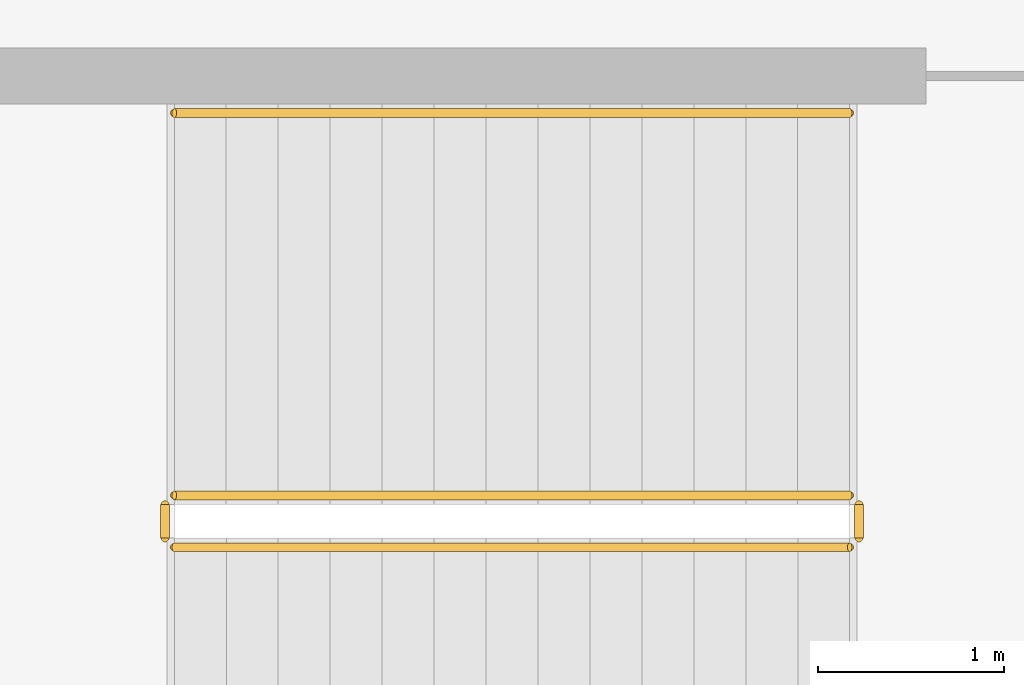
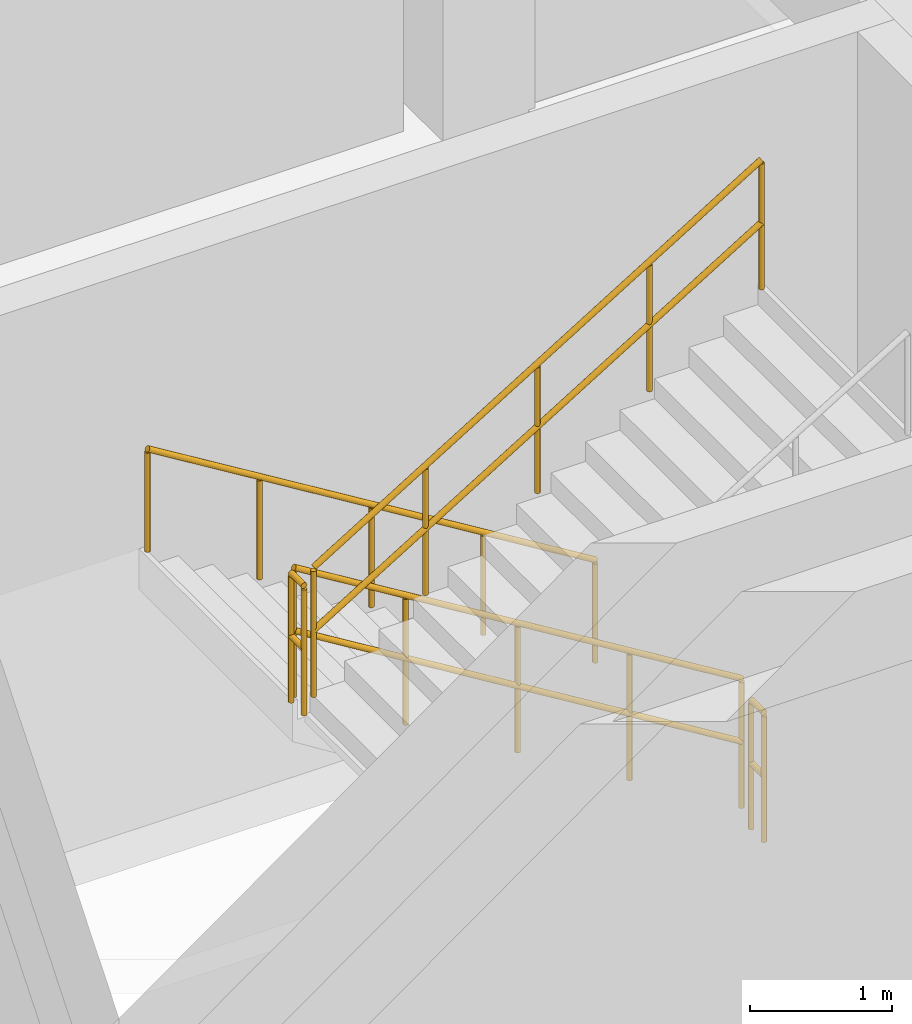
# One storey, part 100 of 109: 5 railings.
"""IFC4 building model written with IfcOpenShell, lengths in metres."""

from ifc_helpers import new_model, si_unit, direction, frame, origin, origin_2d, place, context, subcontext, project, spatial, circle, extrude, material, layer, layer_set, type_object, element, save


model = new_model("IFC4")

# Units and contexts
model_context = context("Model", 3, precision=1e-05, world=origin(), true_north=direction((0.0, 1.0)))
body_context = subcontext(model_context, "Body", "Model", "MODEL_VIEW")
ifc_project = project(units=[si_unit("LENGTHUNIT", "METRE"), si_unit("AREAUNIT", "SQUARE_METRE"), si_unit("VOLUMEUNIT", "CUBIC_METRE"), si_unit("PLANEANGLEUNIT", "RADIAN"), si_unit("MASSUNIT", "GRAM", prefix="KILO")], contexts=[model_context])

# Site, building, storey
site_placement = place(None, origin())
site = spatial("IfcSite", under=ifc_project, at=site_placement, CompositionType="ELEMENT")
building_placement = place(site_placement, origin())
building = spatial("IfcBuilding", under=site, at=building_placement, Name="Kivolera Central Railway Station", CompositionType="ELEMENT")
storey_placement = place(building_placement, frame((0.0, 0.0, 9.60009765625)))
storey = spatial("IfcBuildingStorey", under=building, at=storey_placement, Name="L02", CompositionType="ELEMENT", Elevation=9.60009765625)

# Railings
ifc_material = material(Name="Anodised aluminium", Category="aluminium")
ifc_layer_1 = layer(ifc_material, 0.048095703125, Name="Anodised aluminium")
ifc_layer_set_1 = layer_set([ifc_layer_1], Name="Anodised aluminium")
railing_type_1 = type_object("IfcRailingType", Name="RL-STAIR-GUARD", PredefinedType="GUARDRAIL", material=ifc_layer_set_1)
railing_1_placement = place(storey_placement, frame((125.239990234375, 57.2900390625, 0.17138671875)))
element("IfcRailing", 1, at=railing_1_placement, inside=storey, type_object=railing_type_1, Name="L02 ST4 stair guard 1", PredefinedType="GUARDRAIL", context=body_context, shape_type="SweptSolid", body=[
    extrude(circle(Radius=0.02392578125, at=origin_2d()), frame((0.0, 0.0, 1.10595703125), z_axis=(-0.852850264322, 0.0, 0.5221555579), x_axis=(0.0, -1.0, 0.0)), (0.0, 0.0, 1.0), 4.267822265625),
    extrude(circle(Radius=0.02392578125, at=origin_2d()), frame((0.0, 0.0, 0.56494140625), z_axis=(-0.852850264322, 0.0, 0.5221555579), x_axis=(0.0, -1.0, 0.0)), (0.0, 0.0, 1.0), 4.267822265625),
    extrude(circle(Radius=0.02099609375, at=origin_2d()), origin(), (0.0, 0.0, 1.0), 1.081787109375),
    extrude(circle(Radius=0.02099609375, at=origin_2d()), frame((-0.909912109375, 0.0, 0.55712890625)), (0.0, 0.0, 1.0), 1.081787109375),
    extrude(circle(Radius=0.02099609375, at=origin_2d()), frame((-1.81982421875, 0.0, 1.1142578125)), (0.0, 0.0, 1.0), 1.081787109375),
    extrude(circle(Radius=0.02099609375, at=origin_2d()), frame((-2.72998046875, 0.0, 1.67138671875)), (0.0, 0.0, 1.0), 1.081787109375),
    extrude(circle(Radius=0.02099609375, at=origin_2d()), frame((-3.639892578125, 0.0, 2.228515625)), (0.0, 0.0, 1.0), 1.081787109375),
])
railing_2_placement = place(storey_placement, frame((121.550048828125, 57.239990234375, 2.39990234375)))
element("IfcRailing", 2, at=railing_2_placement, inside=storey, type_object=railing_type_1, Name="L02 ST4 stair guard 2", PredefinedType="GUARDRAIL", context=body_context, shape_type="SweptSolid", body=[
    extrude(circle(Radius=0.02392578125, at=origin_2d()), frame((0.0, 0.0, 1.10595703125), z_axis=(0.0, -1.0, 0.0), x_axis=(1.0, 0.0, 0.0)), (0.0, 0.0, 1.0), 0.179931640625),
    extrude(circle(Radius=0.02392578125, at=origin_2d()), frame((0.0, 0.0, 0.56494140625), z_axis=(0.0, -1.0, 0.0), x_axis=(1.0, 0.0, 0.0)), (0.0, 0.0, 1.0), 0.179931640625),
    extrude(circle(Radius=0.02099609375, at=origin_2d()), origin(), (0.0, 0.0, 1.0), 1.081787109375),
    extrude(circle(Radius=0.02099609375, at=origin_2d()), frame((0.0, -0.179931640625, 0.0)), (0.0, 0.0, 1.0), 1.081787109375),
])
railing_3_placement = place(storey_placement, frame((121.60009765625, 57.010009765625, 2.5712890625)))
element("IfcRailing", 3, at=railing_3_placement, inside=storey, type_object=railing_type_1, Name="L02 ST4 stair guard 3", PredefinedType="GUARDRAIL", context=body_context, shape_type="SweptSolid", body=[
    extrude(circle(Radius=0.02392578125, at=origin_2d()), frame((0.0, 0.0, 1.10595703125), z_axis=(0.852850264322, 0.0, 0.5221555579), x_axis=(0.0, 1.0, 0.0)), (0.0, 0.0, 1.0), 4.267822265625),
    extrude(circle(Radius=0.02392578125, at=origin_2d()), frame((0.0, 0.0, 0.56494140625), z_axis=(0.852850264322, 0.0, 0.5221555579), x_axis=(0.0, 1.0, 0.0)), (0.0, 0.0, 1.0), 4.267822265625),
    extrude(circle(Radius=0.02099609375, at=origin_2d()), origin(), (0.0, 0.0, 1.0), 1.081787109375),
    extrude(circle(Radius=0.02099609375, at=origin_2d()), frame((0.909912109375, 0.0, 0.55712890625)), (0.0, 0.0, 1.0), 1.081787109375),
    extrude(circle(Radius=0.02099609375, at=origin_2d()), frame((1.81982421875, 0.0, 1.1142578125)), (0.0, 0.0, 1.0), 1.081787109375),
    extrude(circle(Radius=0.02099609375, at=origin_2d()), frame((2.72998046875, 0.0, 1.67138671875)), (0.0, 0.0, 1.0), 1.081787109375),
    extrude(circle(Radius=0.02099609375, at=origin_2d()), frame((3.639892578125, 0.0, 2.228515625)), (0.0, 0.0, 1.0), 1.081787109375),
])
railing_4_placement = place(storey_placement, frame((125.2900390625, 57.239990234375, 0.0)))
element("IfcRailing", 4, at=railing_4_placement, inside=storey, type_object=railing_type_1, Name="L02 ST4 stair guard 4", PredefinedType="GUARDRAIL", context=body_context, shape_type="SweptSolid", body=[
    extrude(circle(Radius=0.02392578125, at=origin_2d()), frame((0.0, 0.0, 1.10595703125), z_axis=(0.0, -1.0, 0.0), x_axis=(1.0, 0.0, 0.0)), (0.0, 0.0, 1.0), 0.179931640625),
    extrude(circle(Radius=0.02392578125, at=origin_2d()), frame((0.0, 0.0, 0.56494140625), z_axis=(0.0, -1.0, 0.0), x_axis=(1.0, 0.0, 0.0)), (0.0, 0.0, 1.0), 0.179931640625),
    extrude(circle(Radius=0.02099609375, at=origin_2d()), origin(), (0.0, 0.0, 1.0), 1.081787109375),
    extrude(circle(Radius=0.02099609375, at=origin_2d()), frame((0.0, -0.179931640625, 0.0)), (0.0, 0.0, 1.0), 1.081787109375),
])
ifc_layer_2 = layer(ifc_material, 0.048095703125, Name="Anodised aluminium")
ifc_layer_set_2 = layer_set([ifc_layer_2], Name="Anodised aluminium")
railing_type_2 = type_object("IfcRailingType", Name="RL-STAIR-HAND", PredefinedType="HANDRAIL", material=ifc_layer_set_2)
railing_5_placement = place(storey_placement, frame((125.239990234375, 59.35009765625, 0.17138671875)))
element("IfcRailing", 5, at=railing_5_placement, inside=storey, type_object=railing_type_2, Name="L02 ST4 stair handrail 1", PredefinedType="HANDRAIL", context=body_context, shape_type="SweptSolid", body=[
    extrude(circle(Radius=0.02392578125, at=origin_2d()), frame((0.0, 0.0, 0.8759765625), z_axis=(-0.852850264322, 0.0, 0.5221555579), x_axis=(0.0, -1.0, 0.0)), (0.0, 0.0, 1.0), 4.267822265625),
    extrude(circle(Radius=0.02099609375, at=origin_2d()), origin(), (0.0, 0.0, 1.0), 0.851806640625),
    extrude(circle(Radius=0.02099609375, at=origin_2d()), frame((-0.909912109375, 0.0, 0.55712890625)), (0.0, 0.0, 1.0), 0.851806640625),
    extrude(circle(Radius=0.02099609375, at=origin_2d()), frame((-1.81982421875, 0.0, 1.1142578125)), (0.0, 0.0, 1.0), 0.851806640625),
    extrude(circle(Radius=0.02099609375, at=origin_2d()), frame((-2.72998046875, 0.0, 1.67138671875)), (0.0, 0.0, 1.0), 0.851806640625),
    extrude(circle(Radius=0.02099609375, at=origin_2d()), frame((-3.639892578125, 0.0, 2.228515625)), (0.0, 0.0, 1.0), 0.851806640625),
])

save(model, "model.ifc")
